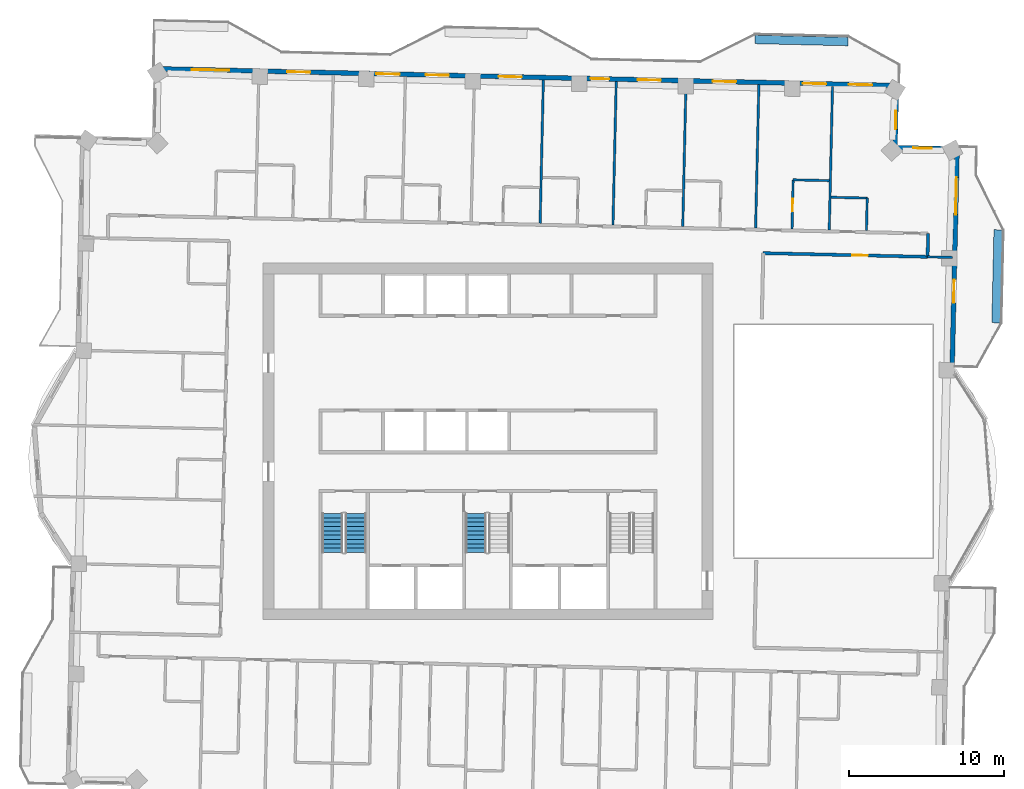
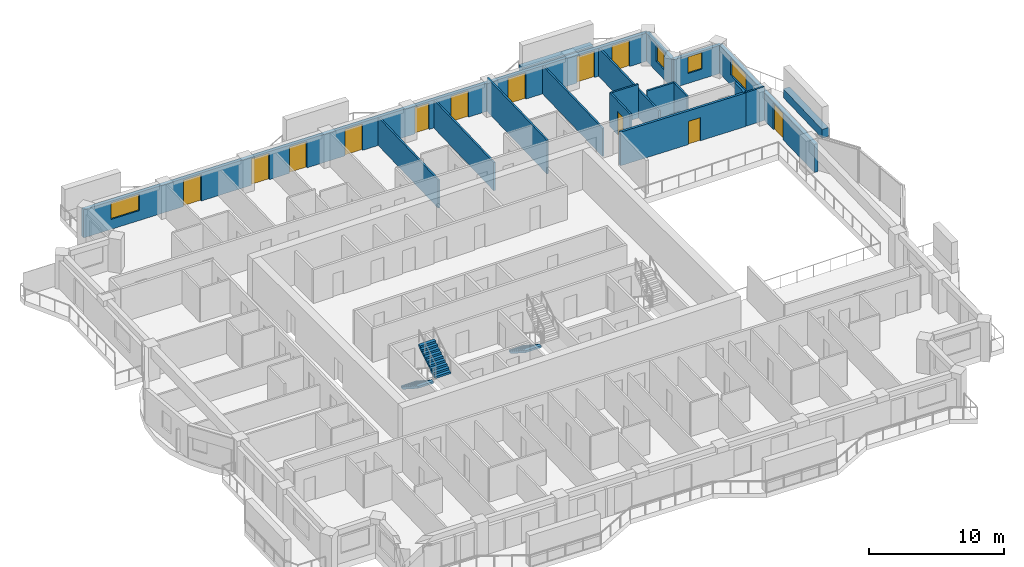
# One storey, part 12 of 17: 18 walls, 12 doors, 4 windows, 3 stair flights, 16 openings, 2 elements without a shape of their own.
"""IFC4 building model written with IfcOpenShell, lengths in metres."""

from ifc_helpers import new_model, si_unit, direction, frame, frame_2d, origin, place, context, subcontext, project, spatial, polyline, rectangle, outline, extrude, material, layer, layer_set, type_object, element, fill, aggregate, save


model = new_model("IFC4")

# Units and contexts
model_context = context("Model", 3, precision=1e-05, world=origin(), true_north=direction((0.0, 1.0)))
body_context = subcontext(model_context, "Body", "Model", "MODEL_VIEW")
ifc_project = project(units=[si_unit("LENGTHUNIT", "METRE"), si_unit("AREAUNIT", "SQUARE_METRE"), si_unit("VOLUMEUNIT", "CUBIC_METRE"), si_unit("PLANEANGLEUNIT", "RADIAN"), si_unit("MASSUNIT", "GRAM", prefix="KILO")], contexts=[model_context])

# Site, building, storey
site_placement = place(None, origin())
site = spatial("IfcSite", under=ifc_project, at=site_placement, CompositionType="ELEMENT")
building_placement = place(site_placement, origin())
building = spatial("IfcBuilding", under=site, at=building_placement, Name="Mangrove Gate Tower", CompositionType="ELEMENT")
storey_placement = place(building_placement, frame((0.0, 0.0, 260.89990234375)))
storey = spatial("IfcBuildingStorey", under=building, at=storey_placement, Name="L66", CompositionType="ELEMENT", Elevation=260.89990234375)

# Wall, opening, door
ifc_material_1 = material(Name="Gypsum board on steel stud, EI 60", Category="steel")
ifc_layer_1 = layer(ifc_material_1, 0.199951171875)
ifc_layer_set_1 = layer_set([ifc_layer_1], Name="Corridor wall EI 60")
wall_type_1 = type_object("IfcWallType", Name="Corridor wall EI 60", PredefinedType="PARTITIONING", material=ifc_layer_set_1)
wall_1_placement = place(storey_placement, frame((17.7529296875, 12.136962890625, 0.0), z_axis=(0.0, 0.0, 1.0), x_axis=(0.999743663474, -0.022640833553, 0.0)))
wall_1 = element("IfcWall", 1, at=wall_1_placement, inside=storey, type_object=wall_type_1, Name="WALL-L66-057", PredefinedType="PARTITIONING", context=body_context, shape_type="SweptSolid", body=[
    extrude(rectangle(XDim=10.599853515625, YDim=0.199951171875, at=frame_2d((5.2998046875, 0.0))), origin(), (0.0, 0.0, 1.0), 3.050048828125),
])
opening_1_placement = place(wall_1_placement, frame((5.75, 0.0, 0.0)))
opening_1 = element("IfcOpeningElement", 2, at=opening_1_placement, cuts=wall_1, Name="Opening AD", PredefinedType="OPENING", context=body_context, shape_type="SweptSolid", body=[
    extrude(rectangle(XDim=1.0, YDim=2.10009765625, at=frame_2d((0.5, 1.050048828125))), frame((0.0, 0.10986328125, 0.0), z_axis=(0.0, -1.0, 0.0), x_axis=(1.0, 0.0, 0.0)), (0.0, 0.0, 1.0), 0.219970703125),
])
ifc_material_2 = material(Name="Timber door leaf", Category="wood")
door_type_1 = type_object("IfcDoorType", Name="Amenity door 1000", OperationType="SINGLE_SWING_LEFT", PredefinedType="DOOR", material=ifc_material_2)
door_1_placement = place(opening_1_placement, origin())
door_1 = element("IfcDoor", 3, at=door_1_placement, inside=storey, type_object=door_type_1, Name="DOOR-L66-LNG-c3b", OperationType="SINGLE_SWING_RIGHT", OverallHeight=2.10009765625, OverallWidth=1.0, PredefinedType="DOOR", context=body_context, shape_type="SweptSolid", body=[
    extrude(rectangle(XDim=1.0, YDim=2.10009765625, at=frame_2d((0.5, 1.050048828125))), frame((0.0, 0.02490234375, 0.0), z_axis=(0.0, -1.0, 0.0), x_axis=(1.0, 0.0, 0.0)), (0.0, 0.0, 1.0), 0.050048828125),
])
fill(opening_1, door_1)

# Wall
wall_2_placement = place(storey_placement, frame((28.35400390625, 11.89697265625, 0.0), z_axis=(0.0, 0.0, 1.0), x_axis=(0.022632637625, 0.99974384905, 0.0)))
element("IfcWall", 4, at=wall_2_placement, inside=storey, type_object=wall_type_1, Name="WALL-L66-059", PredefinedType="PARTITIONING", context=body_context, shape_type="SweptSolid", body=[
    extrude(rectangle(XDim=1.49951171875, YDim=0.199951171875, at=frame_2d((0.749755859375, 0.0))), origin(), (0.0, 0.0, 1.0), 3.050048828125),
])

# Wall, openings, door, window
ifc_material_3 = material(Name="Limestone", Category="masonry")
ifc_layer_2 = layer(ifc_material_3, 0.0400390625, Name="Limestone cladding")
ifc_material_4 = material(Name="Ventilated air gap")
ifc_layer_3 = layer(ifc_material_4, 0.0400390625, Name="Ventilated cavity")
ifc_material_5 = material(Name="Mineral wool insulation")
ifc_layer_4 = layer(ifc_material_5, 0.06005859375, Name="Insulation")
ifc_material_6 = material(Name="Breather membrane")
ifc_layer_5 = layer(ifc_material_6, 0.001953125, Name="Breather membrane")
ifc_material_7 = material(Name="Concrete C20/25 blockwork", Category="masonry")
ifc_layer_6 = layer(ifc_material_7, 0.14990234375, Name="Blockwork backing wall")
ifc_material_8 = material(Name="Gypsum plaster")
ifc_layer_7 = layer(ifc_material_8, 0.008056640625, Name="Internal plaster")
ifc_layer_set_2 = layer_set([ifc_layer_2, ifc_layer_3, ifc_layer_4, ifc_layer_5, ifc_layer_6, ifc_layer_7], Name="External wall 300 limestone cladding")
wall_type_2 = type_object("IfcWallType", Name="External wall 300 limestone cladding", PredefinedType="SOLIDWALL", material=ifc_layer_set_2)
wall_3_placement = place(storey_placement, frame((29.923095703125, 4.0849609375, 0.0), z_axis=(0.0, 0.0, 1.0), x_axis=(0.022738672774, 0.999741442954, 0.0)))
wall_3 = element("IfcWall", 5, at=wall_3_placement, inside=storey, type_object=wall_type_2, Name="WALL-L66-E2s1", PredefinedType="SOLIDWALL", context=body_context, shape_type="SweptSolid", body=[
    extrude(rectangle(XDim=14.77392578125, YDim=0.300048828125, at=frame_2d((7.386962890625, 0.0))), origin(), (0.0, 0.0, 1.0), 2.550048828125),
])
opening_2_placement = place(wall_3_placement, frame((4.85302734375, 0.0, 0.0)))
opening_2 = element("IfcOpeningElement", 6, at=opening_2_placement, cuts=wall_3, Name="Opening BD1", PredefinedType="OPENING", context=body_context, shape_type="SweptSolid", body=[
    extrude(rectangle(XDim=1.5, YDim=2.39990234375, at=frame_2d((0.75, 1.199951171875))), frame((0.0, 0.159912109375, 0.0), z_axis=(0.0, -1.0, 0.0), x_axis=(1.0, 0.0, 0.0)), (0.0, 0.0, 1.0), 0.320068359375),
])
opening_3_placement = place(wall_3_placement, frame((10.5380859375, 0.0, 0.89990234375)))
opening_3 = element("IfcOpeningElement", 7, at=opening_3_placement, cuts=wall_3, Name="Opening W2", PredefinedType="OPENING", context=body_context, shape_type="SweptSolid", body=[
    extrude(rectangle(XDim=2.39990234375, YDim=1.5, at=frame_2d((1.199951171875, 0.75))), frame((0.0, 0.159912109375, 0.0), z_axis=(0.0, -1.0, 0.0), x_axis=(1.0, 0.0, 0.0)), (0.0, 0.0, 1.0), 0.320068359375),
])
ifc_material_9 = material(Name="Aluminium frame with laminated clear glass", Category="aluminium")
door_type_2 = type_object("IfcDoorType", Name="Balcony sliding door 1500x2400", OperationType="SLIDING_TO_LEFT", PredefinedType="DOOR", material=ifc_material_9)
door_2_placement = place(opening_2_placement, origin())
door_2 = element("IfcDoor", 8, at=door_2_placement, inside=storey, type_object=door_type_2, Name="DOOR-L66-E2-1", OperationType="SLIDING_TO_LEFT", OverallHeight=2.39990234375, OverallWidth=1.5, PredefinedType="DOOR", context=body_context, shape_type="SweptSolid", body=[
    extrude(rectangle(XDim=1.5, YDim=2.39990234375, at=frame_2d((0.75, 1.199951171875))), frame((0.0, 0.02490234375, 0.0), z_axis=(0.0, -1.0, 0.0), x_axis=(1.0, 0.0, 0.0)), (0.0, 0.0, 1.0), 0.050048828125),
])
fill(opening_2, door_2)
ifc_material_10 = material(Name="Aluminium frame with double-glazed low-e glass", Category="aluminium")
window_type_1 = type_object("IfcWindowType", Name="Corner room window 2400x1500", PartitioningType="DOUBLE_PANEL_VERTICAL", PredefinedType="WINDOW", material=ifc_material_10)
window_1_placement = place(opening_3_placement, origin())
window_1 = element("IfcWindow", 9, at=window_1_placement, inside=storey, type_object=window_type_1, Name="WIN-L66-E2-2", OverallHeight=1.5, OverallWidth=2.39990234375, PartitioningType="DOUBLE_PANEL_VERTICAL", PredefinedType="WINDOW", context=body_context, shape_type="SweptSolid", body=[
    extrude(rectangle(XDim=2.39990234375, YDim=1.5, at=frame_2d((1.199951171875, 0.75))), frame((0.0, 0.030029296875, 0.0), z_axis=(0.0, -1.0, 0.0), x_axis=(1.0, 0.0, 0.0)), (0.0, 0.0, 1.0), 0.06005859375),
])
fill(opening_3, window_1)

# Wall, opening, window
wall_4_placement = place(storey_placement, frame((30.259033203125, 18.85498046875, 0.0), z_axis=(0.0, 0.0, 1.0), x_axis=(-0.999740826251, 0.022765770952, 0.0)))
wall_4 = element("IfcWall", 10, at=wall_4_placement, inside=storey, type_object=wall_type_2, Name="WALL-L66-N3", PredefinedType="SOLIDWALL", context=body_context, shape_type="SweptSolid", body=[
    extrude(rectangle(XDim=4.0, YDim=0.300048828125, at=frame_2d((2.0, 0.0))), origin(), (0.0, 0.0, 1.0), 2.550048828125),
])
opening_4_placement = place(wall_4_placement, frame((1.632080078125, 0.0, 0.89990234375)))
opening_4 = element("IfcOpeningElement", 11, at=opening_4_placement, cuts=wall_4, Name="Opening W1", PredefinedType="OPENING", context=body_context, shape_type="SweptSolid", body=[
    extrude(rectangle(XDim=1.199951171875, YDim=1.5, at=frame_2d((0.60009765625, 0.75))), frame((0.0, 0.159912109375, 0.0), z_axis=(0.0, -1.0, 0.0), x_axis=(1.0, 0.0, 0.0)), (0.0, 0.0, 1.0), 0.320068359375),
])
ifc_material_11 = material(Name="Aluminium frame with double-glazed low-e glass", Category="aluminium")
window_type_2 = type_object("IfcWindowType", Name="Side lite 1200x1500", PartitioningType="SINGLE_PANEL", PredefinedType="WINDOW", material=ifc_material_11)
window_2_placement = place(opening_4_placement, origin())
window_2 = element("IfcWindow", 12, at=window_2_placement, inside=storey, type_object=window_type_2, Name="WIN-L66-N3-1", OverallHeight=1.5, OverallWidth=1.199951171875, PartitioningType="SINGLE_PANEL", PredefinedType="WINDOW", context=body_context, shape_type="SweptSolid", body=[
    extrude(rectangle(XDim=1.199951171875, YDim=1.5, at=frame_2d((0.60009765625, 0.75))), frame((0.0, 0.030029296875, 0.0), z_axis=(0.0, -1.0, 0.0), x_axis=(1.0, 0.0, 0.0)), (0.0, 0.0, 1.0), 0.06005859375),
])
fill(opening_4, window_2)

wall_5_placement = place(storey_placement, frame((26.260009765625, 18.946044921875, 0.0), z_axis=(0.0, 0.0, 1.0), x_axis=(0.022521758502, 0.999746353029, 0.0)))
wall_5 = element("IfcWall", 13, at=wall_5_placement, inside=storey, type_object=wall_type_2, Name="WALL-L66-E4", PredefinedType="SOLIDWALL", context=body_context, shape_type="SweptSolid", body=[
    extrude(rectangle(XDim=4.0, YDim=0.300048828125, at=frame_2d((2.0, 0.0))), origin(), (0.0, 0.0, 1.0), 2.550048828125),
])
opening_5_placement = place(wall_5_placement, frame((1.1689453125, 0.0, 0.89990234375)))
opening_5 = element("IfcOpeningElement", 14, at=opening_5_placement, cuts=wall_5, Name="Opening W1", PredefinedType="OPENING", context=body_context, shape_type="SweptSolid", body=[
    extrude(rectangle(XDim=1.199951171875, YDim=1.5, at=frame_2d((0.60009765625, 0.75))), frame((0.0, 0.159912109375, 0.0), z_axis=(0.0, -1.0, 0.0), x_axis=(1.0, 0.0, 0.0)), (0.0, 0.0, 1.0), 0.320068359375),
])
window_3_placement = place(opening_5_placement, origin())
window_3 = element("IfcWindow", 15, at=window_3_placement, inside=storey, type_object=window_type_2, Name="WIN-L66-E4-1", OverallHeight=1.5, OverallWidth=1.199951171875, PartitioningType="SINGLE_PANEL", PredefinedType="WINDOW", context=body_context, shape_type="SweptSolid", body=[
    extrude(rectangle(XDim=1.199951171875, YDim=1.5, at=frame_2d((0.60009765625, 0.75))), frame((0.0, 0.030029296875, 0.0), z_axis=(0.0, -1.0, 0.0), x_axis=(1.0, 0.0, 0.0)), (0.0, 0.0, 1.0), 0.06005859375),
])
fill(opening_5, window_3)

# Wall, openings, doors, window
wall_6_placement = place(storey_placement, frame((26.35009765625, 22.945068359375, 0.0), z_axis=(0.0, 0.0, 1.0), x_axis=(-0.999742523712, 0.022691105788, 0.0)))
wall_6 = element("IfcWall", 16, at=wall_6_placement, inside=storey, type_object=wall_type_2, Name="WALL-L66-N5", PredefinedType="SOLIDWALL", context=body_context, shape_type="SweptSolid", body=[
    extrude(rectangle(XDim=47.771240234375, YDim=0.300048828125, at=frame_2d((23.8857421875, 0.0))), origin(), (0.0, 0.0, 1.0), 2.550048828125),
])
opening_6_placement = place(wall_6_placement, frame((1.577880859375, 0.0, 0.0)))
opening_6 = element("IfcOpeningElement", 17, at=opening_6_placement, cuts=wall_6, Name="Opening BD1", PredefinedType="OPENING", context=body_context, shape_type="SweptSolid", body=[
    extrude(rectangle(XDim=1.5, YDim=2.39990234375, at=frame_2d((0.75, 1.199951171875))), frame((0.0, 0.159912109375, 0.0), z_axis=(0.0, -1.0, 0.0), x_axis=(1.0, 0.0, 0.0)), (0.0, 0.0, 1.0), 0.320068359375),
])
opening_7_placement = place(wall_6_placement, frame((4.544921875, 0.0, 0.0)))
opening_7 = element("IfcOpeningElement", 18, at=opening_7_placement, cuts=wall_6, Name="Opening BD1", PredefinedType="OPENING", context=body_context, shape_type="SweptSolid", body=[
    extrude(rectangle(XDim=1.5, YDim=2.39990234375, at=frame_2d((0.75, 1.199951171875))), frame((0.0, 0.159912109375, 0.0), z_axis=(0.0, -1.0, 0.0), x_axis=(1.0, 0.0, 0.0)), (0.0, 0.0, 1.0), 0.320068359375),
])
opening_8_placement = place(wall_6_placement, frame((10.35400390625, 0.0, 0.0)))
opening_8 = element("IfcOpeningElement", 19, at=opening_8_placement, cuts=wall_6, Name="Opening BD1", PredefinedType="OPENING", context=body_context, shape_type="SweptSolid", body=[
    extrude(rectangle(XDim=1.5, YDim=2.39990234375, at=frame_2d((0.75, 1.199951171875))), frame((0.0, 0.159912109375, 0.0), z_axis=(0.0, -1.0, 0.0), x_axis=(1.0, 0.0, 0.0)), (0.0, 0.0, 1.0), 0.320068359375),
])
opening_9_placement = place(wall_6_placement, frame((15.2041015625, 0.0, 0.0)))
opening_9 = element("IfcOpeningElement", 20, at=opening_9_placement, cuts=wall_6, Name="Opening BD1", PredefinedType="OPENING", context=body_context, shape_type="SweptSolid", body=[
    extrude(rectangle(XDim=1.5, YDim=2.39990234375, at=frame_2d((0.75, 1.199951171875))), frame((0.0, 0.159912109375, 0.0), z_axis=(0.0, -1.0, 0.0), x_axis=(1.0, 0.0, 0.0)), (0.0, 0.0, 1.0), 0.320068359375),
])
opening_10_placement = place(wall_6_placement, frame((18.537109375, 0.0, 0.0)))
opening_10 = element("IfcOpeningElement", 21, at=opening_10_placement, cuts=wall_6, Name="Opening BD2", PredefinedType="OPENING", context=body_context, shape_type="SweptSolid", body=[
    extrude(rectangle(XDim=1.199951171875, YDim=2.39990234375, at=frame_2d((0.60009765625, 1.199951171875))), frame((0.0, 0.159912109375, 0.0), z_axis=(0.0, -1.0, 0.0), x_axis=(1.0, 0.0, 0.0)), (0.0, 0.0, 1.0), 0.320068359375),
])
opening_11_placement = place(wall_6_placement, frame((24.1708984375, 0.0, 0.0)))
opening_11 = element("IfcOpeningElement", 22, at=opening_11_placement, cuts=wall_6, Name="Opening BD1", PredefinedType="OPENING", context=body_context, shape_type="SweptSolid", body=[
    extrude(rectangle(XDim=1.5, YDim=2.39990234375, at=frame_2d((0.75, 1.199951171875))), frame((0.0, 0.159912109375, 0.0), z_axis=(0.0, -1.0, 0.0), x_axis=(1.0, 0.0, 0.0)), (0.0, 0.0, 1.0), 0.320068359375),
])
opening_12_placement = place(wall_6_placement, frame((28.87109375, 0.0, 0.0)))
opening_12 = element("IfcOpeningElement", 23, at=opening_12_placement, cuts=wall_6, Name="Opening BD1", PredefinedType="OPENING", context=body_context, shape_type="SweptSolid", body=[
    extrude(rectangle(XDim=1.5, YDim=2.39990234375, at=frame_2d((0.75, 1.199951171875))), frame((0.0, 0.159912109375, 0.0), z_axis=(0.0, -1.0, 0.0), x_axis=(1.0, 0.0, 0.0)), (0.0, 0.0, 1.0), 0.320068359375),
])
opening_13_placement = place(wall_6_placement, frame((32.054931640625, 0.0, 0.0)))
opening_13 = element("IfcOpeningElement", 24, at=opening_13_placement, cuts=wall_6, Name="Opening BD1", PredefinedType="OPENING", context=body_context, shape_type="SweptSolid", body=[
    extrude(rectangle(XDim=1.5, YDim=2.39990234375, at=frame_2d((0.75, 1.199951171875))), frame((0.0, 0.159912109375, 0.0), z_axis=(0.0, -1.0, 0.0), x_axis=(1.0, 0.0, 0.0)), (0.0, 0.0, 1.0), 0.320068359375),
])
opening_14_placement = place(wall_6_placement, frame((37.81298828125, 0.0, 0.0)))
opening_14 = element("IfcOpeningElement", 25, at=opening_14_placement, cuts=wall_6, Name="Opening BD1", PredefinedType="OPENING", context=body_context, shape_type="SweptSolid", body=[
    extrude(rectangle(XDim=1.5, YDim=2.39990234375, at=frame_2d((0.75, 1.199951171875))), frame((0.0, 0.159912109375, 0.0), z_axis=(0.0, -1.0, 0.0), x_axis=(1.0, 0.0, 0.0)), (0.0, 0.0, 1.0), 0.320068359375),
])
opening_15_placement = place(wall_6_placement, frame((43.052001953125, 0.0, 0.89990234375)))
opening_15 = element("IfcOpeningElement", 26, at=opening_15_placement, cuts=wall_6, Name="Opening W2", PredefinedType="OPENING", context=body_context, shape_type="SweptSolid", body=[
    extrude(rectangle(XDim=2.39990234375, YDim=1.5, at=frame_2d((1.199951171875, 0.75))), frame((0.0, 0.159912109375, 0.0), z_axis=(0.0, -1.0, 0.0), x_axis=(1.0, 0.0, 0.0)), (0.0, 0.0, 1.0), 0.320068359375),
])
ifc_material_12 = material(Name="Aluminium frame with laminated clear glass", Category="aluminium")
door_type_3 = type_object("IfcDoorType", Name="Balcony sliding door 1200x2400", OperationType="SLIDING_TO_LEFT", PredefinedType="DOOR", material=ifc_material_12)
door_3_placement = place(opening_10_placement, origin())
door_3 = element("IfcDoor", 27, at=door_3_placement, inside=storey, type_object=door_type_3, Name="DOOR-L66-N5-5", OperationType="SLIDING_TO_LEFT", OverallHeight=2.39990234375, OverallWidth=1.199951171875, PredefinedType="DOOR", context=body_context, shape_type="SweptSolid", body=[
    extrude(rectangle(XDim=1.199951171875, YDim=2.39990234375, at=frame_2d((0.60009765625, 1.199951171875))), frame((0.0, 0.02490234375, 0.0), z_axis=(0.0, -1.0, 0.0), x_axis=(1.0, 0.0, 0.0)), (0.0, 0.0, 1.0), 0.050048828125),
])
fill(opening_10, door_3)
door_4_placement = place(opening_6_placement, origin())
door_4 = element("IfcDoor", 28, at=door_4_placement, inside=storey, type_object=door_type_2, Name="DOOR-L66-N5-1", OperationType="SLIDING_TO_LEFT", OverallHeight=2.39990234375, OverallWidth=1.5, PredefinedType="DOOR", context=body_context, shape_type="SweptSolid", body=[
    extrude(rectangle(XDim=1.5, YDim=2.39990234375, at=frame_2d((0.75, 1.199951171875))), frame((0.0, 0.02490234375, 0.0), z_axis=(0.0, -1.0, 0.0), x_axis=(1.0, 0.0, 0.0)), (0.0, 0.0, 1.0), 0.050048828125),
])
fill(opening_6, door_4)
door_5_placement = place(opening_7_placement, origin())
door_5 = element("IfcDoor", 29, at=door_5_placement, inside=storey, type_object=door_type_2, Name="DOOR-L66-N5-2", OperationType="SLIDING_TO_LEFT", OverallHeight=2.39990234375, OverallWidth=1.5, PredefinedType="DOOR", context=body_context, shape_type="SweptSolid", body=[
    extrude(rectangle(XDim=1.5, YDim=2.39990234375, at=frame_2d((0.75, 1.199951171875))), frame((0.0, 0.02490234375, 0.0), z_axis=(0.0, -1.0, 0.0), x_axis=(1.0, 0.0, 0.0)), (0.0, 0.0, 1.0), 0.050048828125),
])
fill(opening_7, door_5)
door_6_placement = place(opening_8_placement, origin())
door_6 = element("IfcDoor", 30, at=door_6_placement, inside=storey, type_object=door_type_2, Name="DOOR-L66-N5-3", OperationType="SLIDING_TO_LEFT", OverallHeight=2.39990234375, OverallWidth=1.5, PredefinedType="DOOR", context=body_context, shape_type="SweptSolid", body=[
    extrude(rectangle(XDim=1.5, YDim=2.39990234375, at=frame_2d((0.75, 1.199951171875))), frame((0.0, 0.02490234375, 0.0), z_axis=(0.0, -1.0, 0.0), x_axis=(1.0, 0.0, 0.0)), (0.0, 0.0, 1.0), 0.050048828125),
])
fill(opening_8, door_6)
door_7_placement = place(opening_9_placement, origin())
door_7 = element("IfcDoor", 31, at=door_7_placement, inside=storey, type_object=door_type_2, Name="DOOR-L66-N5-4", OperationType="SLIDING_TO_LEFT", OverallHeight=2.39990234375, OverallWidth=1.5, PredefinedType="DOOR", context=body_context, shape_type="SweptSolid", body=[
    extrude(rectangle(XDim=1.5, YDim=2.39990234375, at=frame_2d((0.75, 1.199951171875))), frame((0.0, 0.02490234375, 0.0), z_axis=(0.0, -1.0, 0.0), x_axis=(1.0, 0.0, 0.0)), (0.0, 0.0, 1.0), 0.050048828125),
])
fill(opening_9, door_7)
door_8_placement = place(opening_11_placement, origin())
door_8 = element("IfcDoor", 32, at=door_8_placement, inside=storey, type_object=door_type_2, Name="DOOR-L66-N5-6", OperationType="SLIDING_TO_LEFT", OverallHeight=2.39990234375, OverallWidth=1.5, PredefinedType="DOOR", context=body_context, shape_type="SweptSolid", body=[
    extrude(rectangle(XDim=1.5, YDim=2.39990234375, at=frame_2d((0.75, 1.199951171875))), frame((0.0, 0.02490234375, 0.0), z_axis=(0.0, -1.0, 0.0), x_axis=(1.0, 0.0, 0.0)), (0.0, 0.0, 1.0), 0.050048828125),
])
fill(opening_11, door_8)
door_9_placement = place(opening_12_placement, origin())
door_9 = element("IfcDoor", 33, at=door_9_placement, inside=storey, type_object=door_type_2, Name="DOOR-L66-N5-7", OperationType="SLIDING_TO_LEFT", OverallHeight=2.39990234375, OverallWidth=1.5, PredefinedType="DOOR", context=body_context, shape_type="SweptSolid", body=[
    extrude(rectangle(XDim=1.5, YDim=2.39990234375, at=frame_2d((0.75, 1.199951171875))), frame((0.0, 0.02490234375, 0.0), z_axis=(0.0, -1.0, 0.0), x_axis=(1.0, 0.0, 0.0)), (0.0, 0.0, 1.0), 0.050048828125),
])
fill(opening_12, door_9)
door_10_placement = place(opening_13_placement, origin())
door_10 = element("IfcDoor", 34, at=door_10_placement, inside=storey, type_object=door_type_2, Name="DOOR-L66-N5-8", OperationType="SLIDING_TO_LEFT", OverallHeight=2.39990234375, OverallWidth=1.5, PredefinedType="DOOR", context=body_context, shape_type="SweptSolid", body=[
    extrude(rectangle(XDim=1.5, YDim=2.39990234375, at=frame_2d((0.75, 1.199951171875))), frame((0.0, 0.02490234375, 0.0), z_axis=(0.0, -1.0, 0.0), x_axis=(1.0, 0.0, 0.0)), (0.0, 0.0, 1.0), 0.050048828125),
])
fill(opening_13, door_10)
door_11_placement = place(opening_14_placement, origin())
door_11 = element("IfcDoor", 35, at=door_11_placement, inside=storey, type_object=door_type_2, Name="DOOR-L66-N5-9", OperationType="SLIDING_TO_LEFT", OverallHeight=2.39990234375, OverallWidth=1.5, PredefinedType="DOOR", context=body_context, shape_type="SweptSolid", body=[
    extrude(rectangle(XDim=1.5, YDim=2.39990234375, at=frame_2d((0.75, 1.199951171875))), frame((0.0, 0.02490234375, 0.0), z_axis=(0.0, -1.0, 0.0), x_axis=(1.0, 0.0, 0.0)), (0.0, 0.0, 1.0), 0.050048828125),
])
fill(opening_14, door_11)
window_4_placement = place(opening_15_placement, origin())
window_4 = element("IfcWindow", 36, at=window_4_placement, inside=storey, type_object=window_type_1, Name="WIN-L66-N5-10", OverallHeight=1.5, OverallWidth=2.39990234375, PartitioningType="DOUBLE_PANEL_VERTICAL", PredefinedType="WINDOW", context=body_context, shape_type="SweptSolid", body=[
    extrude(rectangle(XDim=2.39990234375, YDim=1.5, at=frame_2d((1.199951171875, 0.75))), frame((0.0, 0.030029296875, 0.0), z_axis=(0.0, -1.0, 0.0), x_axis=(1.0, 0.0, 0.0)), (0.0, 0.0, 1.0), 0.06005859375),
])
fill(opening_15, window_4)

# Walls
ifc_material_13 = material(Name="Gypsum board on steel stud, EI 60", Category="steel")
ifc_layer_8 = layer(ifc_material_13, 0.14990234375)
ifc_layer_set_3 = layer_set([ifc_layer_8], Name="Party wall 150 EI 60")
wall_type_3 = type_object("IfcWallType", Name="Party wall 150 EI 60", PredefinedType="PARTITIONING", material=ifc_layer_set_3)
wall_7_placement = place(storey_placement, frame((28.35009765625, 11.89697265625, 0.0), z_axis=(0.0, 0.0, 1.0), x_axis=(0.999734618493, -0.023036765969, 0.0)))
element("IfcWall", 37, at=wall_7_placement, inside=storey, type_object=wall_type_3, Name="WALL-L66-058", PredefinedType="PARTITIONING", context=body_context, shape_type="SweptSolid", body=[
    extrude(rectangle(XDim=1.600341796875, YDim=0.14990234375, at=frame_2d((0.80029296875, 0.0))), origin(), (0.0, 0.0, 1.0), 3.050048828125),
])
for number, where, z_axis, x_axis, name in (
    (38, (3.366943359375, 14.06396484375, 0.0), (0.0, 0.0, 1.0), (0.022697424684, 0.999742380272, 0.0), "WALL-L66-070"),
    (39, (8.06591796875, 13.95703125, 0.0), (0.0, 0.0, 1.0), (0.022697424684, 0.999742380272, 0.0), "WALL-L66-072"),
):
    element("IfcWall", number, at=place(storey_placement, frame(where, z_axis=z_axis, x_axis=x_axis)), inside=storey, type_object=wall_type_3, Name=name, PredefinedType="PARTITIONING", context=body_context, shape_type="SweptSolid", body=[
        extrude(rectangle(XDim=9.25048828125, YDim=0.14990234375, at=frame_2d((4.625244140625, 0.0))), origin(), (0.0, 0.0, 1.0), 2.550048828125),
    ])
wall_8_placement = place(storey_placement, frame((12.56494140625, 13.85498046875, 0.0), z_axis=(0.0, 0.0, 1.0), x_axis=(0.022591909275, 0.999744770247, 0.0)))
element("IfcWall", 40, at=wall_8_placement, inside=storey, type_object=wall_type_3, Name="WALL-L66-074", PredefinedType="PARTITIONING", context=body_context, shape_type="SweptSolid", body=[
    extrude(rectangle(XDim=9.25048828125, YDim=0.14990234375, at=frame_2d((4.625244140625, 0.0))), origin(), (0.0, 0.0, 1.0), 3.050048828125),
])
wall_9_placement = place(storey_placement, frame((17.262939453125, 13.7490234375, 0.0), z_axis=(0.0, 0.0, 1.0), x_axis=(0.022699820474, 0.999742325877, 0.0)))
element("IfcWall", 41, at=wall_9_placement, inside=storey, type_object=wall_type_3, Name="WALL-L66-076", PredefinedType="PARTITIONING", context=body_context, shape_type="SweptSolid", body=[
    extrude(rectangle(XDim=9.24951171875, YDim=0.14990234375, at=frame_2d((4.624755859375, 0.0))), origin(), (0.0, 0.0, 1.0), 2.550048828125),
])

# Wall, opening, door
wall_10_placement = place(storey_placement, frame((19.613037109375, 13.695068359375, 0.0), z_axis=(0.0, 0.0, 1.0), x_axis=(0.022721405353, 0.999741835545, 0.0)))
wall_10 = element("IfcWall", 42, at=wall_10_placement, inside=storey, type_object=wall_type_3, Name="WALL-L66-077", PredefinedType="PARTITIONING", context=body_context, shape_type="SweptSolid", body=[
    extrude(rectangle(XDim=3.169677734375, YDim=0.14990234375, at=frame_2d((1.5849609375, 0.0))), origin(), (0.0, 0.0, 1.0), 3.050048828125),
])
opening_16_placement = place(wall_10_placement, frame((1.135009765625, 0.0, 0.0)))
opening_16 = element("IfcOpeningElement", 43, at=opening_16_placement, cuts=wall_10, Name="Opening ED", PredefinedType="OPENING", context=body_context, shape_type="SweptSolid", body=[
    extrude(rectangle(XDim=0.800048828125, YDim=2.10009765625, at=frame_2d((0.39990234375, 1.050048828125))), frame((0.0, 0.0849609375, 0.0), z_axis=(0.0, -1.0, 0.0), x_axis=(1.0, 0.0, 0.0)), (0.0, 0.0, 1.0), 0.169921875),
])
ifc_material_14 = material(Name="Timber door leaf", Category="wood")
door_type_4 = type_object("IfcDoorType", Name="En-suite door 800", OperationType="SINGLE_SWING_LEFT", PredefinedType="DOOR", material=ifc_material_14)
door_12_placement = place(opening_16_placement, origin())
door_12 = element("IfcDoor", 44, at=door_12_placement, inside=storey, type_object=door_type_4, Name="DOOR-L66-ENS-c310", OperationType="SINGLE_SWING_RIGHT", OverallHeight=2.10009765625, OverallWidth=0.800048828125, PredefinedType="DOOR", context=body_context, shape_type="SweptSolid", body=[
    extrude(rectangle(XDim=0.800048828125, YDim=2.10009765625, at=frame_2d((0.39990234375, 1.050048828125))), frame((0.0, 0.02490234375, 0.0), z_axis=(0.0, -1.0, 0.0), x_axis=(1.0, 0.0, 0.0)), (0.0, 0.0, 1.0), 0.050048828125),
])
fill(opening_16, door_12)

# Walls
wall_11_placement = place(storey_placement, frame((22.011962890625, 13.64111328125, 0.0), z_axis=(0.0, 0.0, 1.0), x_axis=(0.022698023584, 0.999742366675, 0.0)))
element("IfcWall", 45, at=wall_11_placement, inside=storey, type_object=wall_type_3, Name="WALL-L66-078", PredefinedType="PARTITIONING", context=body_context, shape_type="SweptSolid", body=[
    extrude(rectangle(XDim=9.250244140625, YDim=0.14990234375, at=frame_2d((4.625, 0.0))), origin(), (0.0, 0.0, 1.0), 2.550048828125),
])
wall_12_placement = place(storey_placement, frame((24.412109375, 13.5859375, 0.0), z_axis=(0.0, 0.0, 1.0), x_axis=(0.022314832676, 0.999750993119, 0.0)))
element("IfcWall", 46, at=wall_12_placement, inside=storey, type_object=wall_type_3, Name="WALL-L66-079", PredefinedType="PARTITIONING", context=body_context, shape_type="SweptSolid", body=[
    extrude(rectangle(XDim=2.1005859375, YDim=0.14990234375, at=frame_2d((1.05029296875, 0.0))), origin(), (0.0, 0.0, 1.0), 3.050048828125),
])
for number, where, z_axis, x_axis, name in (
    (47, (22.138916015625, 15.739013671875, 0.0), (0.0, 0.0, 1.0), (0.999740260747, -0.02279059109, 0.0), "WALL-L66-080"),
    (48, (19.68896484375, 16.864013671875, 0.0), (0.0, 0.0, 1.0), (0.999749744571, -0.022370700241, 0.0), "WALL-L66-088"),
):
    element("IfcWall", number, at=place(storey_placement, frame(where, z_axis=z_axis, x_axis=x_axis)), inside=storey, type_object=wall_type_3, Name=name, PredefinedType="PARTITIONING", context=body_context, shape_type="SweptSolid", body=[
        extrude(rectangle(XDim=2.324462890625, YDim=0.14990234375, at=frame_2d((1.162109375, 0.0))), origin(), (0.0, 0.0, 1.0), 3.050048828125),
    ])
ifc_material_15 = material(Name="Concrete C32/40", Category="concrete")
ifc_layer_9 = layer(ifc_material_15, 0.199951171875, Name="Planter trough wall")
ifc_material_16 = material(Name="Bituminous waterproofing membrane")
ifc_layer_10 = layer(ifc_material_16, 0.0048828125, Name="Waterproofing")
ifc_material_17 = material(Name="Drainage board and gravel")
ifc_layer_11 = layer(ifc_material_17, 0.044921875, Name="Drainage layer")
ifc_material_18 = material(Name="Planting soil")
ifc_layer_12 = layer(ifc_material_18, 0.300048828125, Name="Growing medium")
ifc_layer_set_4 = layer_set([ifc_layer_9, ifc_layer_10, ifc_layer_11, ifc_layer_12], Name="Planter wall 550 C32/40")
wall_type_4 = type_object("IfcWallType", Name="Planter wall 550 C32/40", PredefinedType="USERDEFINED", material=ifc_layer_set_4)
for number, where, z_axis, x_axis, name in (
    (49, (32.77001953125, 7.64501953125, 0.0), (0.0, 0.0, 1.0), (0.022665943652, 0.999743094499, 0.0), "PLANTER L66 E1.1"),
    (50, (17.22998046875, 25.9169921875, 0.0), (0.0, 0.0, 1.0), (0.999743094499, -0.022665943652, 0.0), "PLANTER L66 N0.1"),
):
    element("IfcWall", number, at=place(storey_placement, frame(where, z_axis=z_axis, x_axis=x_axis)), inside=storey, type_object=wall_type_4, Name=name, ObjectType="PLANTER", PredefinedType="USERDEFINED", context=body_context, shape_type="SweptSolid", body=[
        extrude(rectangle(XDim=5.99951171875, YDim=0.550048828125, at=frame_2d((2.999755859375, 0.0))), origin(), (0.0, 0.0, 1.0), 0.800048828125),
    ])

# Stair, stair flights
ifc_material_19 = material(Name="Concrete C40/50", Category="concrete")
stair_type = type_object("IfcStairType", Name="Core stair 1350", PredefinedType="HALF_TURN_STAIR", material=ifc_material_19)
stair_1_placement = place(storey_placement, origin())
stair_1 = element("IfcStair", 51, at=stair_1_placement, inside=storey, type_object=stair_type, Name="L66 Stair 1", PredefinedType="HALF_TURN_STAIR")
ifc_material_20 = material(Name="Concrete C40/50", Category="concrete")
stair_flight_type = type_object("IfcStairFlightType", Name="Core stair flight 1350", PredefinedType="STRAIGHT", material=ifc_material_20)
stair_flight_1_placement = place(storey_placement, frame((-10.02490234375, -4.64990234375, 0.0), z_axis=(0.0, 0.0, 1.0), x_axis=(0.0, -1.0, 0.0)))
stair_flight_1 = element("IfcStairFlight", 52, at=stair_flight_1_placement, type_object=stair_flight_type, Name="ST1 flight 1", NumberOfRisers=10, NumberOfTreads=9, PredefinedType="STRAIGHT", RiserHeight=0.18, TreadLength=0.28, context=body_context, shape_type="SweptSolid", body=[
    extrude(outline(polyline([(0.0, 0.0), (0.0, 0.179931640625), (0.280029296875, 0.179931640625), (0.280029296875, 0.360107421875), (0.56005859375, 0.360107421875), (0.56005859375, 0.5400390625), (0.840087890625, 0.5400390625), (0.840087890625, 0.719970703125), (1.1201171875, 0.719970703125), (1.1201171875, 0.89990234375), (1.39990234375, 0.89990234375), (1.39990234375, 1.080078125), (1.679931640625, 1.080078125), (1.679931640625, 1.260009765625), (1.9599609375, 1.260009765625), (1.9599609375, 1.43994140625), (2.239990234375, 1.43994140625), (2.239990234375, 1.6201171875), (2.52001953125, 1.6201171875), (2.52001953125, 1.800048828125), (2.52001953125, 1.44189453125), (0.277099609375, 0.0), (0.0, 0.0)])), frame((0.0, 0.675048828125, 0.0), z_axis=(0.0, -1.0, 0.0), x_axis=(1.0, 0.0, 0.0)), (0.0, 0.0, 1.0), 1.35009765625),
])
stair_flight_2_placement = place(storey_placement, frame((-8.52490234375, -7.169921875, 1.800048828125), z_axis=(0.0, 0.0, 1.0), x_axis=(0.0, 1.0, 0.0)))
stair_flight_2 = element("IfcStairFlight", 53, at=stair_flight_2_placement, type_object=stair_flight_type, Name="ST1 flight 2", NumberOfRisers=10, NumberOfTreads=9, PredefinedType="STRAIGHT", RiserHeight=0.18, TreadLength=0.28, context=body_context, shape_type="SweptSolid", body=[
    extrude(outline(polyline([(0.0, 0.0), (0.0, 0.179931640625), (0.280029296875, 0.179931640625), (0.280029296875, 0.360107421875), (0.56005859375, 0.360107421875), (0.56005859375, 0.5400390625), (0.840087890625, 0.5400390625), (0.840087890625, 0.719970703125), (1.1201171875, 0.719970703125), (1.1201171875, 0.89990234375), (1.39990234375, 0.89990234375), (1.39990234375, 1.080078125), (1.679931640625, 1.080078125), (1.679931640625, 1.260009765625), (1.9599609375, 1.260009765625), (1.9599609375, 1.43994140625), (2.239990234375, 1.43994140625), (2.239990234375, 1.6201171875), (2.52001953125, 1.6201171875), (2.52001953125, 1.800048828125), (2.52001953125, 1.44189453125), (0.277099609375, 0.0), (0.0, 0.0)])), frame((0.0, 0.675048828125, 0.0), z_axis=(0.0, -1.0, 0.0), x_axis=(1.0, 0.0, 0.0)), (0.0, 0.0, 1.0), 1.35009765625),
])
aggregate(stair_1, [stair_flight_1, stair_flight_2])

# Stair, stair flight
stair_2_placement = place(storey_placement, origin())
stair_2 = element("IfcStair", 54, at=stair_2_placement, inside=storey, type_object=stair_type, Name="L66 Stair 2", PredefinedType="HALF_TURN_STAIR")
stair_flight_3_placement = place(storey_placement, frame((-0.77490234375, -4.64990234375, 0.0), z_axis=(0.0, 0.0, 1.0), x_axis=(0.0, -1.0, 0.0)))
stair_flight_3 = element("IfcStairFlight", 55, at=stair_flight_3_placement, type_object=stair_flight_type, Name="ST2 flight 1", NumberOfRisers=10, NumberOfTreads=9, PredefinedType="STRAIGHT", RiserHeight=0.18, TreadLength=0.28, context=body_context, shape_type="SweptSolid", body=[
    extrude(outline(polyline([(0.0, 0.0), (0.0, 0.179931640625), (0.280029296875, 0.179931640625), (0.280029296875, 0.360107421875), (0.56005859375, 0.360107421875), (0.56005859375, 0.5400390625), (0.840087890625, 0.5400390625), (0.840087890625, 0.719970703125), (1.1201171875, 0.719970703125), (1.1201171875, 0.89990234375), (1.39990234375, 0.89990234375), (1.39990234375, 1.080078125), (1.679931640625, 1.080078125), (1.679931640625, 1.260009765625), (1.9599609375, 1.260009765625), (1.9599609375, 1.43994140625), (2.239990234375, 1.43994140625), (2.239990234375, 1.6201171875), (2.52001953125, 1.6201171875), (2.52001953125, 1.800048828125), (2.52001953125, 1.44189453125), (0.277099609375, 0.0), (0.0, 0.0)])), frame((0.0, 0.675048828125, 0.0), z_axis=(0.0, -1.0, 0.0), x_axis=(1.0, 0.0, 0.0)), (0.0, 0.0, 1.0), 1.35009765625),
])
aggregate(stair_2, [stair_flight_3])

save(model, "model.ifc")
